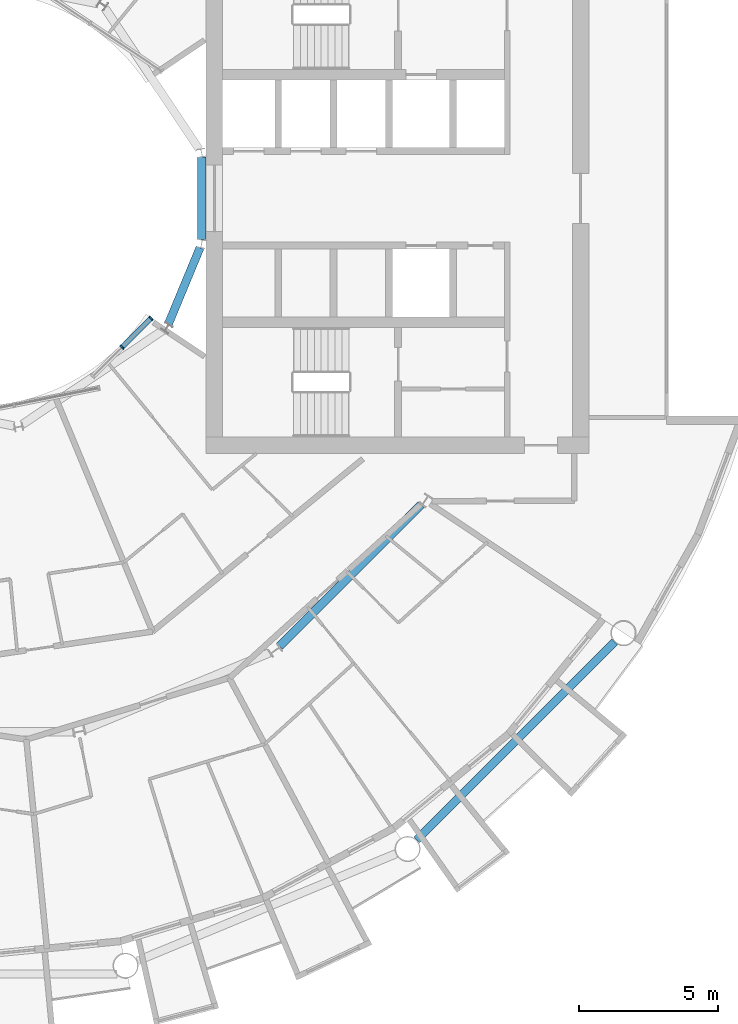
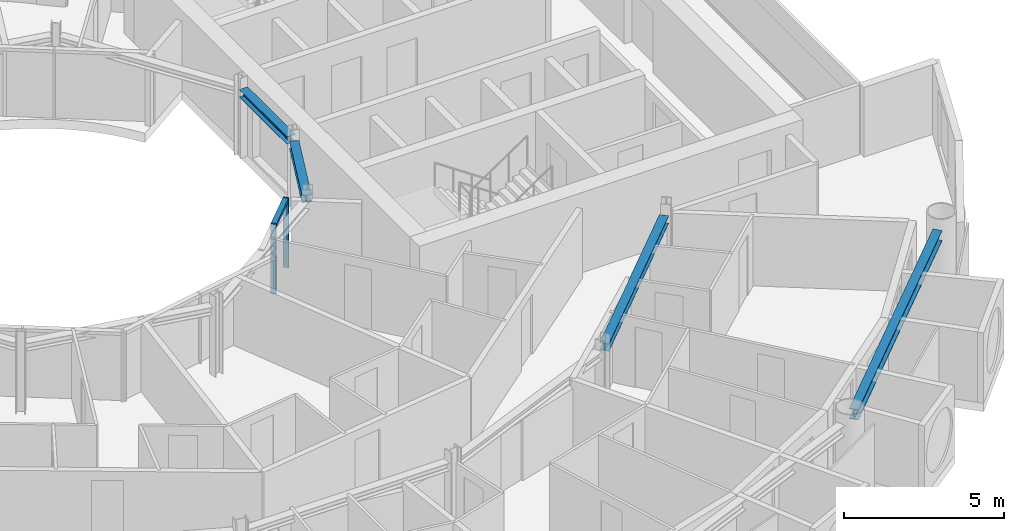
# One storey, part 7 of 27: 4 beams, 3 members, 1 element without a shape of its own.
"""IFC4 building model written with IfcOpenShell, lengths in metres."""

import ifcopenshell
import ifcopenshell.guid

model = None  # the IFC model being written
_history = None  # IfcOwnerHistory: only IFC2X3 demands one
_inside = {}  # id of a spatial element -> (the spatial element, [elements in it])
_under = {}  # id of a project, library or spatial element -> (it, [spatial elements below it])
_declared = {}  # id of a project -> (the project, [libraries it declares])
_typed = {}  # id of a type object -> (the type object, [elements of that type])
_made_of = {}  # id of a material, layer set ... -> (it, [elements and type objects made of it])


def new_model(schema):
    """Start an empty IFC model of exactly this schema.

    Asked for "IFC4X3", IfcOpenShell would pick the latest addendum, in which some entities
    have other attributes; the version numbers below select the first issue.
    IFC2X3 requires an IfcOwnerHistory on every rooted entity: one is made here for all.
    """
    global model, _history
    if schema == "IFC4X3":
        model = ifcopenshell.file(schema_version=(4, 3, 0, 0))
    else:
        model = ifcopenshell.file(schema=schema)
    _inside.clear()
    _under.clear()
    _declared.clear()
    _typed.clear()
    _made_of.clear()
    _history = None
    if model.schema == "IFC2X3":
        org = make("IfcOrganization", Name="unknown")
        user = make(
            "IfcPersonAndOrganization",
            ThePerson=make("IfcPerson", FamilyName="unknown"),
            TheOrganization=org,
        )
        app = make(
            "IfcApplication",
            ApplicationDeveloper=org,
            Version="unknown",
            ApplicationFullName="unknown",
            ApplicationIdentifier="unknown",
        )
        _history = make(
            "IfcOwnerHistory",
            OwningUser=user,
            OwningApplication=app,
            ChangeAction="ADDED",
            CreationDate=0,
        )
    return model


def make(cls, **values):
    """One entity of the class cls with the attributes given. An attribute that is None is left unset."""
    return model.create_entity(
        cls, **{name: value for name, value in values.items() if value is not None}
    )


def rooted(cls, **values):
    """An entity with a GlobalId (a new one), such as an element, a storey or a relation."""
    return make(cls, GlobalId=ifcopenshell.guid.new(), OwnerHistory=_history, **values)


def si_unit(unit_type, name, prefix=None):
    """IfcSIUnit, for example si_unit("LENGTHUNIT", "METRE", prefix="MILLI")."""
    return make("IfcSIUnit", UnitType=unit_type, Prefix=prefix, Name=name)


def assignment(units):
    """IfcUnitAssignment: the units of a project."""
    return None if units is None else make("IfcUnitAssignment", Units=units)


def point(xyz):
    """IfcCartesianPoint."""
    return None if xyz is None else make("IfcCartesianPoint", Coordinates=xyz)


def direction(xyz):
    """IfcDirection."""
    return None if xyz is None else make("IfcDirection", DirectionRatios=xyz)


def frame(location, z_axis=None, x_axis=None):
    """IfcAxis2Placement3D, a coordinate frame: its origin and axes. An axis left out is left unset."""
    return make(
        "IfcAxis2Placement3D",
        Location=point(location),
        Axis=direction(z_axis),
        RefDirection=direction(x_axis),
    )


def frame_2d(location, x_axis=None):
    """IfcAxis2Placement2D, a coordinate frame in the plane: its origin and x axis."""
    return make(
        "IfcAxis2Placement2D", Location=point(location), RefDirection=direction(x_axis)
    )


def origin():
    """The frame at (0, 0, 0) with its axes left unset."""
    return frame((0.0, 0.0, 0.0))


def origin_2d():
    """The frame at (0, 0) in the plane with its x axis left unset."""
    return frame_2d((0.0, 0.0))


def place(relative_to, where):
    """IfcLocalPlacement: puts the frame where relative to a parent placement (None: the world)."""
    return make(
        "IfcLocalPlacement", PlacementRelTo=relative_to, RelativePlacement=where
    )


def context(
    kind, dimensions, precision=None, world=None, true_north=None, identifier=None
):
    """IfcGeometricRepresentationContext, for example the 3D "Model" context."""
    return make(
        "IfcGeometricRepresentationContext",
        ContextIdentifier=identifier,
        ContextType=kind,
        CoordinateSpaceDimension=dimensions,
        Precision=precision,
        WorldCoordinateSystem=world,
        TrueNorth=true_north,
    )


def subcontext(parent, identifier, kind, view, scale=None):
    """IfcGeometricRepresentationSubContext, for example "Body" below "Model"."""
    return make(
        "IfcGeometricRepresentationSubContext",
        ContextIdentifier=identifier,
        ContextType=kind,
        ParentContext=parent,
        TargetScale=scale,
        TargetView=view,
    )


def project(units=None, contexts=None):
    """IfcProject with its units and contexts."""
    return rooted(
        "IfcProject",
        Name="project",
        RepresentationContexts=contexts,
        UnitsInContext=assignment(units),
    )


def spatial(cls, under=None, at=None, **own):
    """A site, building, storey or space (cls), placed at a placement, below another one or the project."""
    s = rooted(cls, ObjectPlacement=at, **own)
    if under is not None:
        _under.setdefault(under.id(), (under, []))[1].append(s)
    return s


def profile(cls, at=None, kind="AREA", **sizes):
    """A parametric profile (cls). Its sizes go by their IFC names, for example OverallWidth=200.0."""
    return make(cls, ProfileType=kind, Position=at, **sizes)


def rectangle(**sizes):
    """IfcRectangleProfileDef."""
    return profile("IfcRectangleProfileDef", **sizes)


def i_section(**sizes):
    """IfcIShapeProfileDef."""
    return profile("IfcIShapeProfileDef", **sizes)


def extrude(swept, where, along, depth):
    """IfcExtrudedAreaSolid: the profile swept, set in the frame where, extruded along a direction by depth."""
    return make(
        "IfcExtrudedAreaSolid",
        SweptArea=swept,
        Position=where,
        ExtrudedDirection=direction(along),
        Depth=depth,
    )


def shape(context_of_items, identifier, shape_type, items):
    """IfcShapeRepresentation: the items that make up one representation, for example the "Body"."""
    return make(
        "IfcShapeRepresentation",
        ContextOfItems=context_of_items,
        RepresentationIdentifier=identifier,
        RepresentationType=shape_type,
        Items=items,
    )


def material(Name=None, Category=None):
    """IfcMaterial."""
    return make("IfcMaterial", Name=Name, Category=Category)


def layer(
    of_material, thickness, ventilated=None, Name=None, Category=None, Priority=None
):
    """IfcMaterialLayer: one layer of a wall or slab, of a material (None: an air gap)."""
    return make(
        "IfcMaterialLayer",
        Material=of_material,
        LayerThickness=thickness,
        IsVentilated=ventilated,
        Name=Name,
        Category=Category,
        Priority=Priority,
    )


def layer_set(layers, Name=None):
    """IfcMaterialLayerSet."""
    return make("IfcMaterialLayerSet", MaterialLayers=layers, LayerSetName=Name)


def material_profile(
    of_material, cross_section, Name=None, Category=None, Priority=None
):
    """IfcMaterialProfile: a cross section and its material."""
    return make(
        "IfcMaterialProfile",
        Name=Name,
        Material=of_material,
        Profile=cross_section,
        Priority=Priority,
        Category=Category,
    )


def profile_set(profiles, Name=None, composite=None):
    """IfcMaterialProfileSet."""
    return make(
        "IfcMaterialProfileSet",
        Name=Name,
        MaterialProfiles=profiles,
        CompositeProfile=composite,
    )


def made_of(thing, what):
    """Note that an element or type object is made of a material, layer set ...; save() writes the relation."""
    if what is not None:
        _made_of.setdefault(what.id(), (what, []))[1].append(thing)
    return thing


def type_object(cls, material=None, **own):
    """A type object (cls), such as IfcWallType, which elements share."""
    return made_of(rooted(cls, **own), material)


def element(
    cls,
    number,
    at=None,
    inside=None,
    cuts=None,
    type_object=None,
    material=None,
    context=None,
    identifier="Body",
    shape_type=None,
    held_by="IfcProductDefinitionShape",
    body=None,
    shapes=None,
    **own,
):
    """One element of the class cls, such as IfcWall. Its Tag is "e" and its number.

    at: its placement. inside: the storey or other place that contains it. cuts: it is an
    opening in that element (IfcRelVoidsElement). A single representation is given by context,
    identifier, shape_type and body (its items); several are given by shapes. held_by: the class
    of the entity that holds the representations. save() writes the other relations.
    """
    e = rooted(cls, Tag="e%d" % number, ObjectPlacement=at, **own)
    if body is not None:
        shapes = [shape(context, identifier, shape_type, body)]
    if shapes is not None:
        e.Representation = make(held_by, Representations=shapes)
    if inside is not None:
        _inside.setdefault(inside.id(), (inside, []))[1].append(e)
    if cuts is not None:
        rooted(
            "IfcRelVoidsElement", RelatingBuildingElement=cuts, RelatedOpeningElement=e
        )
    if type_object is not None:
        _typed.setdefault(type_object.id(), (type_object, []))[1].append(e)
    return made_of(e, material)


def aggregate(whole, parts):
    """IfcRelAggregates: a whole, such as a stair, and the parts it consists of."""
    return rooted("IfcRelAggregates", RelatingObject=whole, RelatedObjects=parts)


def save(model, path):
    """Write the relations noted so far, then the file.

    IfcRelAggregates (storeys below a building ...), IfcRelContainedInSpatialStructure (elements
    in a storey), IfcRelDefinesByType, IfcRelAssociatesMaterial and IfcRelDeclares: one each for
    every whole, place, type object, material and project.
    """
    for whole, parts in _under.values():
        aggregate(whole, parts)
    for where, things in _inside.values():
        rooted(
            "IfcRelContainedInSpatialStructure",
            RelatedElements=things,
            RelatingStructure=where,
        )
    for kind, things in _typed.values():
        rooted("IfcRelDefinesByType", RelatedObjects=things, RelatingType=kind)
    for what, things in _made_of.values():
        rooted("IfcRelAssociatesMaterial", RelatedObjects=things, RelatingMaterial=what)
    for by, libraries in _declared.values():
        rooted("IfcRelDeclares", RelatingContext=by, RelatedDefinitions=libraries)
    model.write(path)


model = new_model("IFC4")

# Units and contexts
model_context = context("Model", 3, precision=1e-05, world=origin(), true_north=direction((0.0, 1.0)))
body_context = subcontext(model_context, "Body", "Model", "MODEL_VIEW")
ifc_project = project(units=[si_unit("LENGTHUNIT", "METRE"), si_unit("AREAUNIT", "SQUARE_METRE"), si_unit("VOLUMEUNIT", "CUBIC_METRE"), si_unit("PLANEANGLEUNIT", "RADIAN"), si_unit("MASSUNIT", "GRAM", prefix="KILO")], contexts=[model_context])

# Site, building, storey
site_placement = place(None, origin())
site = spatial("IfcSite", under=ifc_project, at=site_placement, CompositionType="ELEMENT")
building_placement = place(site_placement, origin())
building = spatial("IfcBuilding", under=site, at=building_placement, Name="Maasbend Ring Residences", CompositionType="ELEMENT")
storey_placement = place(building_placement, frame((0.0, 0.0, 136.050048828125)))
storey = spatial("IfcBuildingStorey", under=building, at=storey_placement, Name="L39", CompositionType="ELEMENT", Elevation=136.050048828125)

# Curtain wall, members
ifc_material_1 = material(Name="Aluminium and clear glass", Category="aluminium")
ifc_layer = layer(ifc_material_1, 0.179931640625)
ifc_layer_set = layer_set([ifc_layer], Name="CW-W")
curtain_wall_type = type_object("IfcCurtainWallType", Name="CW-W", PredefinedType="NOTDEFINED", material=ifc_layer_set)
curtain_wall_placement = place(storey_placement, origin())
curtain_wall = element("IfcCurtainWall", 1, at=curtain_wall_placement, inside=storey, type_object=curtain_wall_type, Name="Well curtain wall S3", PredefinedType="NOTDEFINED")
ifc_material_2 = material(Name="Aluminium 6063-T6", Category="aluminium")
ifc_material_profile_1 = material_profile(ifc_material_2, rectangle(XDim=0.179931640625, YDim=0.06005859375, at=origin_2d()), Name="AL 180x60")
ifc_profile_set_1 = profile_set([ifc_material_profile_1], Name="Aluminium 6063-T6")
member_type_1 = type_object("IfcMemberType", Name="CWM-W", PredefinedType="MULLION", material=ifc_profile_set_1)
member_1_placement = place(storey_placement, frame((5.366943359375, -5.366943359375, 0.0), z_axis=(0.0, 0.0, 1.0), x_axis=(-0.707106781187, 0.707106781187, 0.0)))
member_1 = element("IfcMember", 2, at=member_1_placement, type_object=member_type_1, Name="Mullion well face", PredefinedType="MULLION", context=body_context, shape_type="SweptSolid", body=[
    extrude(rectangle(XDim=0.179931640625, YDim=0.06005859375, at=origin_2d()), origin(), (0.0, 0.0, 1.0), 2.64990234375),
])
member_2_placement = place(storey_placement, frame((6.413330078125, -4.320556640625, 0.0), z_axis=(0.0, 0.0, 1.0), x_axis=(-0.707106781187, 0.707106781187, 0.0)))
member_2 = element("IfcMember", 3, at=member_2_placement, type_object=member_type_1, Name="Mullion well face", PredefinedType="MULLION", context=body_context, shape_type="SweptSolid", body=[
    extrude(rectangle(XDim=0.179931640625, YDim=0.06005859375, at=origin_2d()), origin(), (0.0, 0.0, 1.0), 2.64990234375),
])
ifc_material_3 = material(Name="Aluminium 6063-T6", Category="aluminium")
ifc_material_profile_2 = material_profile(ifc_material_3, rectangle(XDim=0.179931640625, YDim=0.1201171875, at=origin_2d()), Name="AL 180x120")
ifc_profile_set_2 = profile_set([ifc_material_profile_2], Name="Aluminium 6063-T6")
member_type_2 = type_object("IfcMemberType", Name="CWT-W", PredefinedType="USERDEFINED", material=ifc_profile_set_2)
member_3_placement = place(storey_placement, frame((5.38818359375, -5.345703125, 2.58984375), z_axis=(0.707106781187, 0.707106781187, 0.0), x_axis=(-0.707106781187, 0.707106781187, 0.0)))
member_3 = element("IfcMember", 4, at=member_3_placement, type_object=member_type_2, Name="Transom well face", ObjectType="TRANSOM", PredefinedType="USERDEFINED", context=body_context, shape_type="SweptSolid", body=[
    extrude(rectangle(XDim=0.179931640625, YDim=0.1201171875, at=origin_2d()), origin(), (0.0, 0.0, 1.0), 1.419677734375),
])
aggregate(curtain_wall, [member_1, member_2, member_3])

# Beams
ifc_material_4 = material(Name="Steel S355J2", Category="steel")
ifc_material_profile_3 = material_profile(ifc_material_4, i_section(OverallWidth=0.300048828125, OverallDepth=0.2900390625, WebThickness=0.008544921875, FlangeThickness=0.013916015625, FilletRadius=0.027099609375, at=origin_2d()), Name="HEA 300")
ifc_profile_set_3 = profile_set([ifc_material_profile_3], Name="Steel S355J2")
beam_type_1 = type_object("IfcBeamType", Name="Corridor ring beam HEA 300", PredefinedType="BEAM", material=ifc_profile_set_3)
beam_1_placement = place(storey_placement, frame((11.044921875, -16.14111328125, 2.5048828125), z_axis=(0.707106781187, 0.707106781187, 0.0), x_axis=(-0.707106781187, 0.707106781187, 0.0)))
element("IfcBeam", 5, at=beam_1_placement, inside=storey, type_object=beam_type_1, Name="Corridor ring beam", PredefinedType="BEAM", context=body_context, shape_type="SweptSolid", body=[
    extrude(i_section(OverallWidth=0.300048828125, OverallDepth=0.2900390625, WebThickness=0.008544921875, FlangeThickness=0.013916015625, FilletRadius=0.027099609375, at=origin_2d()), origin(), (0.0, 0.0, 1.0), 7.20703125),
])
ifc_material_5 = material(Name="Steel S355J2", Category="steel")
ifc_material_profile_4 = material_profile(ifc_material_5, i_section(OverallWidth=0.300048828125, OverallDepth=0.39990234375, WebThickness=0.013427734375, FlangeThickness=0.02392578125, FilletRadius=0.027099609375, at=origin_2d()), Name="HEB 400")
ifc_profile_set_4 = profile_set([ifc_material_profile_4], Name="Steel S355J2")
beam_type_2 = type_object("IfcBeamType", Name="Spandrel ring beam HEB 400", PredefinedType="SPANDREL", material=ifc_profile_set_4)
beam_2_placement = place(storey_placement, frame((15.990234375, -23.124267578125, 2.449951171875), z_axis=(0.707106781187, 0.707106781187, 0.0), x_axis=(-0.707106781187, 0.707106781187, 0.0)))
element("IfcBeam", 6, at=beam_2_placement, inside=storey, type_object=beam_type_2, Name="Spandrel ring beam", PredefinedType="SPANDREL", context=body_context, shape_type="SweptSolid", body=[
    extrude(i_section(OverallWidth=0.300048828125, OverallDepth=0.39990234375, WebThickness=0.013427734375, FlangeThickness=0.02392578125, FilletRadius=0.027099609375, at=origin_2d()), origin(), (0.0, 0.0, 1.0), 10.089111328125),
])
ifc_material_6 = material(Name="Steel S355J2", Category="steel")
ifc_material_profile_5 = material_profile(ifc_material_6, i_section(OverallWidth=0.300048828125, OverallDepth=0.2900390625, WebThickness=0.008544921875, FlangeThickness=0.013916015625, FilletRadius=0.027099609375, at=origin_2d()), Name="HEA 300")
ifc_profile_set_5 = profile_set([ifc_material_profile_5], Name="Steel S355J2")
beam_type_3 = type_object("IfcBeamType", Name="Well edge beam HEA 300", PredefinedType="BEAM", material=ifc_profile_set_5)
for number, where, z_axis, x_axis, name in (
    (7, (7.042724609375, -4.525390625, 2.5048828125), (0.382765370874, 0.923845588212, 0.0), (-0.923845588212, 0.382765370874, 0.0), "Well edge beam"),
    (8, (8.238525390625, -1.48583984375, 2.5048828125), (0.0, 1.0, 0.0), (-1.0, 0.0, 0.0), "Well edge beam"),
):
    element("IfcBeam", number, at=place(storey_placement, frame(where, z_axis=z_axis, x_axis=x_axis)), inside=storey, type_object=beam_type_3, Name=name, PredefinedType="BEAM", context=body_context, shape_type="SweptSolid", body=[
        extrude(i_section(OverallWidth=0.300048828125, OverallDepth=0.2900390625, WebThickness=0.008544921875, FlangeThickness=0.013916015625, FilletRadius=0.027099609375, at=origin_2d()), origin(), (0.0, 0.0, 1.0), 2.9716796875),
    ])

save(model, "model.ifc")
